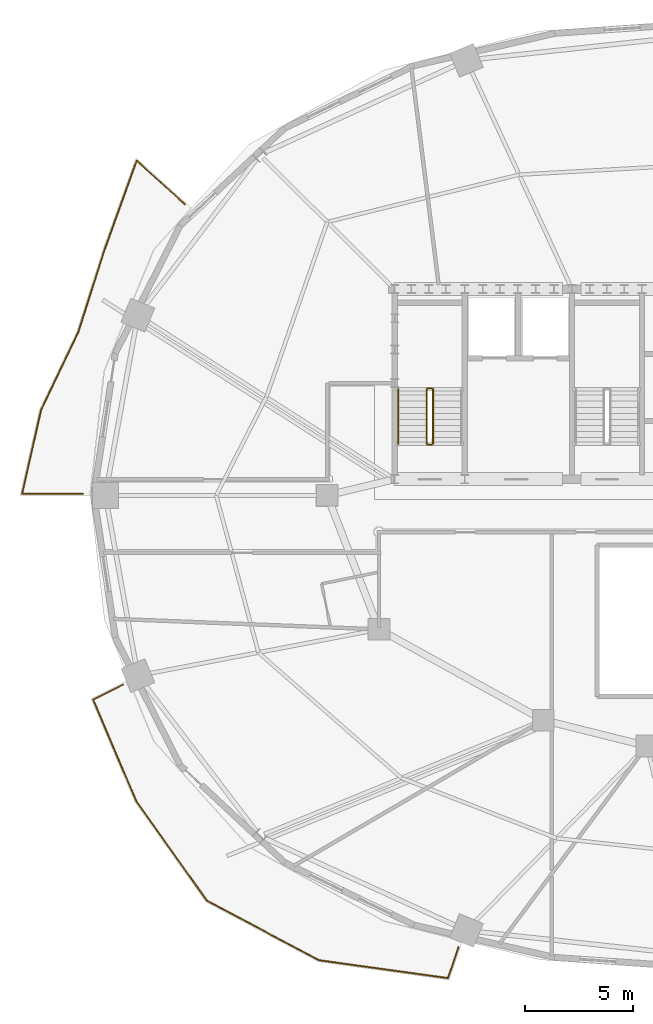
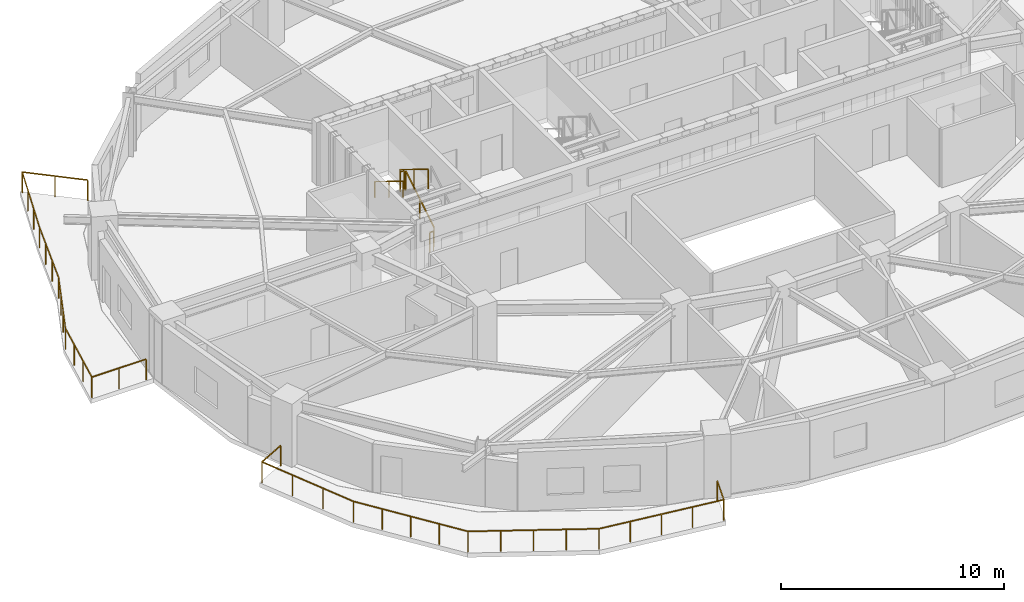
# One storey, part 7 of 11: 7 railings.
"""IFC4 building model written with IfcOpenShell, lengths in metres."""

from ifc_helpers import new_model, si_unit, direction, frame, origin, origin_2d, place, context, subcontext, project, spatial, rectangle, extrude, material, type_object, element, save


model = new_model("IFC4")

# Units and contexts
model_context = context("Model", 3, precision=1e-05, world=origin(), true_north=direction((0.0, 1.0)))
body_context = subcontext(model_context, "Body", "Model", "MODEL_VIEW")
ifc_project = project(units=[si_unit("LENGTHUNIT", "METRE"), si_unit("AREAUNIT", "SQUARE_METRE"), si_unit("VOLUMEUNIT", "CUBIC_METRE"), si_unit("PLANEANGLEUNIT", "RADIAN"), si_unit("MASSUNIT", "GRAM", prefix="KILO")], contexts=[model_context])

# Site, building, storey
site_placement = place(None, origin())
site = spatial("IfcSite", under=ifc_project, at=site_placement, CompositionType="ELEMENT")
building_placement = place(site_placement, origin())
building = spatial("IfcBuilding", under=site, at=building_placement, Name="Haldorwick Loom Tower", CompositionType="ELEMENT")
storey_placement = place(building_placement, frame((0.0, 0.0, 208.300048828125)))
storey = spatial("IfcBuildingStorey", under=building, at=storey_placement, Name="L56", CompositionType="ELEMENT", Elevation=208.300048828125)

# Railings
ifc_material_1 = material(Name="Galvanized Steel CSA G40.21 350W", Category="steel")
railing_type_1 = type_object("IfcRailingType", Name="ARC-RLG-BAL115", PredefinedType="BALUSTRADE", material=ifc_material_1)
railing_1_placement = place(storey_placement, frame((24.877685546875, 5.081298828125, 0.0)))
element("IfcRailing", 1, at=railing_1_placement, inside=storey, type_object=railing_type_1, Name="L56 Outdoor Terrace Guardrail SLB-L56-BAL_SW-1", PredefinedType="BALUSTRADE", context=body_context, shape_type="SweptSolid", body=[
    extrude(rectangle(XDim=0.048095703125, YDim=0.048095703125, at=origin_2d()), frame((0.0, 0.0, 1.1259765625), z_axis=(-0.322554876503, -0.946550765487, 0.0), x_axis=(0.946550765487, -0.322554876503, 0.0)), (0.0, 0.0, 1.0), 1.503173828125),
    extrude(rectangle(XDim=0.048095703125, YDim=0.048095703125, at=origin_2d()), frame((-0.48486328125, -1.4228515625, 1.1259765625), z_axis=(-0.990515716608, 0.137399472896, 0.0), x_axis=(-0.137399472896, -0.990515716608, 0.0)), (0.0, 0.0, 1.0), 6.027099609375),
    extrude(rectangle(XDim=0.048095703125, YDim=0.048095703125, at=origin_2d()), frame((-6.454833984375, -0.5947265625, 1.1259765625), z_axis=(-0.883034911235, 0.46930730395, 0.0), x_axis=(-0.46930730395, -0.883034911235, 0.0)), (0.0, 0.0, 1.0), 5.86865234375),
    extrude(rectangle(XDim=0.048095703125, YDim=0.048095703125, at=origin_2d()), frame((-11.636962890625, 2.159423828125, 1.1259765625), z_axis=(-0.580031308126, 0.814594182151, 0.0), x_axis=(-0.814594182151, -0.580031308126, 0.0)), (0.0, 0.0, 1.0), 5.62890625),
    extrude(rectangle(XDim=0.048095703125, YDim=0.048095703125, at=origin_2d()), frame((-14.90185546875, 6.74462890625, 1.1259765625), z_axis=(-0.391348382521, 0.92024260035, 0.0), x_axis=(-0.92024260035, -0.391348382521, 0.0)), (0.0, 0.0, 1.0), 5.126220703125),
    extrude(rectangle(XDim=0.048095703125, YDim=0.048095703125, at=origin_2d()), frame((-16.907958984375, 11.4619140625, 1.1259765625), z_axis=(0.892027220711, 0.451981678291, 0.0), x_axis=(-0.451981678291, 0.892027220711, 0.0)), (0.0, 0.0, 1.0), 1.533935546875),
    extrude(rectangle(XDim=0.0419921875, YDim=0.0419921875, at=origin_2d()), origin(), (0.0, 0.0, 1.0), 1.101806640625),
    extrude(rectangle(XDim=0.0419921875, YDim=0.0419921875, at=origin_2d()), frame((-0.48486328125, -1.4228515625, 0.0)), (0.0, 0.0, 1.0), 1.101806640625),
    extrude(rectangle(XDim=0.0419921875, YDim=0.0419921875, at=origin_2d()), frame((-1.977294921875, -1.2158203125, 0.0)), (0.0, 0.0, 1.0), 1.101806640625),
    extrude(rectangle(XDim=0.0419921875, YDim=0.0419921875, at=origin_2d()), frame((-3.4697265625, -1.0087890625, 0.0)), (0.0, 0.0, 1.0), 1.101806640625),
    extrude(rectangle(XDim=0.0419921875, YDim=0.0419921875, at=origin_2d()), frame((-4.96240234375, -0.8017578125, 0.0)), (0.0, 0.0, 1.0), 1.101806640625),
    extrude(rectangle(XDim=0.0419921875, YDim=0.0419921875, at=origin_2d()), frame((-6.454833984375, -0.5947265625, 0.0)), (0.0, 0.0, 1.0), 1.101806640625),
    extrude(rectangle(XDim=0.0419921875, YDim=0.0419921875, at=origin_2d()), frame((-7.75048828125, 0.09375, 0.0)), (0.0, 0.0, 1.0), 1.101806640625),
    extrude(rectangle(XDim=0.0419921875, YDim=0.0419921875, at=origin_2d()), frame((-9.0458984375, 0.7822265625, 0.0)), (0.0, 0.0, 1.0), 1.101806640625),
    extrude(rectangle(XDim=0.0419921875, YDim=0.0419921875, at=origin_2d()), frame((-10.34130859375, 1.470947265625, 0.0)), (0.0, 0.0, 1.0), 1.101806640625),
    extrude(rectangle(XDim=0.0419921875, YDim=0.0419921875, at=origin_2d()), frame((-11.636962890625, 2.159423828125, 0.0)), (0.0, 0.0, 1.0), 1.101806640625),
    extrude(rectangle(XDim=0.0419921875, YDim=0.0419921875, at=origin_2d()), frame((-12.453125, 3.3056640625, 0.0)), (0.0, 0.0, 1.0), 1.101806640625),
    extrude(rectangle(XDim=0.0419921875, YDim=0.0419921875, at=origin_2d()), frame((-13.26953125, 4.4521484375, 0.0)), (0.0, 0.0, 1.0), 1.101806640625),
    extrude(rectangle(XDim=0.0419921875, YDim=0.0419921875, at=origin_2d()), frame((-14.085693359375, 5.598388671875, 0.0)), (0.0, 0.0, 1.0), 1.101806640625),
    extrude(rectangle(XDim=0.0419921875, YDim=0.0419921875, at=origin_2d()), frame((-14.90185546875, 6.74462890625, 0.0)), (0.0, 0.0, 1.0), 1.101806640625),
    extrude(rectangle(XDim=0.0419921875, YDim=0.0419921875, at=origin_2d()), frame((-15.570556640625, 8.317138671875, 0.0)), (0.0, 0.0, 1.0), 1.101806640625),
    extrude(rectangle(XDim=0.0419921875, YDim=0.0419921875, at=origin_2d()), frame((-16.2392578125, 9.889404296875, 0.0)), (0.0, 0.0, 1.0), 1.101806640625),
    extrude(rectangle(XDim=0.0419921875, YDim=0.0419921875, at=origin_2d()), frame((-16.907958984375, 11.4619140625, 0.0)), (0.0, 0.0, 1.0), 1.101806640625),
    extrude(rectangle(XDim=0.0419921875, YDim=0.0419921875, at=origin_2d()), frame((-15.53955078125, 12.1552734375, 0.0)), (0.0, 0.0, 1.0), 1.101806640625),
])
railing_2_placement = place(storey_placement, frame((7.490478515625, 26.080078125, 0.0)))
element("IfcRailing", 2, at=railing_2_placement, inside=storey, type_object=railing_type_1, Name="L56 Outdoor Terrace Guardrail SLB-L56-BAL_WNW-1", PredefinedType="BALUSTRADE", context=body_context, shape_type="SweptSolid", body=[
    extrude(rectangle(XDim=0.048095703125, YDim=0.048095703125, at=origin_2d()), frame((0.0, 0.0, 1.1259765625), z_axis=(-1.0, 0.0, 0.0), x_axis=(0.0, -1.0, 0.0)), (0.0, 0.0, 1.0), 2.806884765625),
    extrude(rectangle(XDim=0.048095703125, YDim=0.048095703125, at=origin_2d()), frame((-2.806884765625, 0.0, 1.1259765625), z_axis=(0.220528818601, 0.975380459188, 0.0), x_axis=(-0.975380459188, 0.220528818601, 0.0)), (0.0, 0.0, 1.0), 3.970947265625),
    extrude(rectangle(XDim=0.048095703125, YDim=0.048095703125, at=origin_2d()), frame((-1.93115234375, 3.873291015625, 1.1259765625), z_axis=(0.431873232656, 0.901934316298, 0.0), x_axis=(-0.901934316298, 0.431873232656, 0.0)), (0.0, 0.0, 1.0), 3.97021484375),
    extrude(rectangle(XDim=0.048095703125, YDim=0.048095703125, at=origin_2d()), frame((-0.216552734375, 7.4541015625, 1.1259765625), z_axis=(0.363542485653, 0.931577619485, 0.0), x_axis=(-0.931577619485, 0.363542485653, 0.0)), (0.0, 0.0, 1.0), 0.0107421875),
    extrude(rectangle(XDim=0.048095703125, YDim=0.048095703125, at=origin_2d()), frame((-0.212646484375, 7.464111328125, 1.1259765625), z_axis=(0.304009811711, 0.952668900712, 0.0), x_axis=(-0.952668900712, 0.304009811711, 0.0)), (0.0, 0.0, 1.0), 4.037109375),
    extrude(rectangle(XDim=0.048095703125, YDim=0.048095703125, at=origin_2d()), frame((1.0146484375, 11.31005859375, 1.1259765625), z_axis=(0.339440877495, 0.940627392056, 0.0), x_axis=(-0.940627392056, 0.339440877495, 0.0)), (0.0, 0.0, 1.0), 4.361572265625),
    extrude(rectangle(XDim=0.048095703125, YDim=0.048095703125, at=origin_2d()), frame((2.4951171875, 15.41259765625, 1.1259765625), z_axis=(0.74173043734, -0.670698112658, 0.0), x_axis=(0.670698112658, 0.74173043734, 0.0)), (0.0, 0.0, 1.0), 3.00048828125),
    extrude(rectangle(XDim=0.0419921875, YDim=0.0419921875, at=origin_2d()), origin(), (0.0, 0.0, 1.0), 1.101806640625),
    extrude(rectangle(XDim=0.0419921875, YDim=0.0419921875, at=origin_2d()), frame((-1.4033203125, 0.0, 0.0)), (0.0, 0.0, 1.0), 1.101806640625),
    extrude(rectangle(XDim=0.0419921875, YDim=0.0419921875, at=origin_2d()), frame((-2.806884765625, 0.0, 0.0)), (0.0, 0.0, 1.0), 1.101806640625),
    extrude(rectangle(XDim=0.0419921875, YDim=0.0419921875, at=origin_2d()), frame((-2.514892578125, 1.291015625, 0.0)), (0.0, 0.0, 1.0), 1.101806640625),
    extrude(rectangle(XDim=0.0419921875, YDim=0.0419921875, at=origin_2d()), frame((-2.22314453125, 2.582275390625, 0.0)), (0.0, 0.0, 1.0), 1.101806640625),
    extrude(rectangle(XDim=0.0419921875, YDim=0.0419921875, at=origin_2d()), frame((-1.93115234375, 3.873291015625, 0.0)), (0.0, 0.0, 1.0), 1.101806640625),
    extrude(rectangle(XDim=0.0419921875, YDim=0.0419921875, at=origin_2d()), frame((-1.359619140625, 5.06689453125, 0.0)), (0.0, 0.0, 1.0), 1.101806640625),
    extrude(rectangle(XDim=0.0419921875, YDim=0.0419921875, at=origin_2d()), frame((-0.7880859375, 6.260498046875, 0.0)), (0.0, 0.0, 1.0), 1.101806640625),
    extrude(rectangle(XDim=0.0419921875, YDim=0.0419921875, at=origin_2d()), frame((-0.216552734375, 7.4541015625, 0.0)), (0.0, 0.0, 1.0), 1.101806640625),
    extrude(rectangle(XDim=0.0419921875, YDim=0.0419921875, at=origin_2d()), frame((0.196533203125, 8.74609375, 0.0)), (0.0, 0.0, 1.0), 1.101806640625),
    extrude(rectangle(XDim=0.0419921875, YDim=0.0419921875, at=origin_2d()), frame((0.60546875, 10.028076171875, 0.0)), (0.0, 0.0, 1.0), 1.101806640625),
    extrude(rectangle(XDim=0.0419921875, YDim=0.0419921875, at=origin_2d()), frame((1.0146484375, 11.31005859375, 0.0)), (0.0, 0.0, 1.0), 1.101806640625),
    extrude(rectangle(XDim=0.0419921875, YDim=0.0419921875, at=origin_2d()), frame((1.508056640625, 12.677490234375, 0.0)), (0.0, 0.0, 1.0), 1.101806640625),
    extrude(rectangle(XDim=0.0419921875, YDim=0.0419921875, at=origin_2d()), frame((2.001708984375, 14.045166015625, 0.0)), (0.0, 0.0, 1.0), 1.101806640625),
    extrude(rectangle(XDim=0.0419921875, YDim=0.0419921875, at=origin_2d()), frame((2.4951171875, 15.41259765625, 0.0)), (0.0, 0.0, 1.0), 1.101806640625),
    extrude(rectangle(XDim=0.0419921875, YDim=0.0419921875, at=origin_2d()), frame((3.60791015625, 14.40625, 0.0)), (0.0, 0.0, 1.0), 1.101806640625),
    extrude(rectangle(XDim=0.0419921875, YDim=0.0419921875, at=origin_2d()), frame((4.720703125, 13.400146484375, 0.0)), (0.0, 0.0, 1.0), 1.101806640625),
])
ifc_material_2 = material(Name="Steel CSA G40.21 350W", Category="steel")
railing_type_2 = type_object("IfcRailingType", Name="ARC-RLG-GUARD112", PredefinedType="GUARDRAIL", material=ifc_material_2)
railing_3_placement = place(storey_placement, frame((23.699951171875, 28.39990234375, 0.17236328125)))
element("IfcRailing", 3, at=railing_3_placement, inside=storey, type_object=railing_type_2, Name="L56 ST-01 stair guard 1", PredefinedType="GUARDRAIL", context=body_context, shape_type="SweptSolid", body=[
    extrude(rectangle(XDim=0.048095703125, YDim=0.048095703125, at=origin_2d()), frame((0.0, 0.0, 1.076171875), z_axis=(0.0, 0.851400495292, 0.524516154772), x_axis=(-1.0, 0.0, 0.0)), (0.0, 0.0, 1.0), 2.9599609375),
    extrude(rectangle(XDim=0.0419921875, YDim=0.0419921875, at=origin_2d()), origin(), (0.0, 0.0, 1.0), 1.052001953125),
    extrude(rectangle(XDim=0.0419921875, YDim=0.0419921875, at=origin_2d()), frame((0.0, 1.260009765625, 0.7763671875)), (0.0, 0.0, 1.0), 1.052001953125),
    extrude(rectangle(XDim=0.0419921875, YDim=0.0419921875, at=origin_2d()), frame((0.0, 2.52001953125, 1.552490234375)), (0.0, 0.0, 1.0), 1.052001953125),
])
railing_4_placement = place(storey_placement, frame((23.64990234375, 30.969970703125, 1.724853515625)))
element("IfcRailing", 4, at=railing_4_placement, inside=storey, type_object=railing_type_2, Name="L56 ST-01 stair guard 2", PredefinedType="GUARDRAIL", context=body_context, shape_type="SweptSolid", body=[
    extrude(rectangle(XDim=0.048095703125, YDim=0.048095703125, at=origin_2d()), frame((0.0, 0.0, 1.076171875), z_axis=(-1.0, 0.0, 0.0), x_axis=(0.0, -1.0, 0.0)), (0.0, 0.0, 1.0), 0.199951171875),
    extrude(rectangle(XDim=0.0419921875, YDim=0.0419921875, at=origin_2d()), origin(), (0.0, 0.0, 1.0), 1.052001953125),
    extrude(rectangle(XDim=0.0419921875, YDim=0.0419921875, at=origin_2d()), frame((-0.199951171875, 0.0, 0.0)), (0.0, 0.0, 1.0), 1.052001953125),
])
railing_5_placement = place(storey_placement, frame((23.39990234375, 30.919921875, 1.8974609375)))
element("IfcRailing", 5, at=railing_5_placement, inside=storey, type_object=railing_type_2, Name="L56 ST-01 stair guard 3", PredefinedType="GUARDRAIL", context=body_context, shape_type="SweptSolid", body=[
    extrude(rectangle(XDim=0.048095703125, YDim=0.048095703125, at=origin_2d()), frame((0.0, 0.0, 1.076171875), z_axis=(0.0, -0.851400495292, 0.524516154772), x_axis=(1.0, 0.0, 0.0)), (0.0, 0.0, 1.0), 2.9599609375),
    extrude(rectangle(XDim=0.0419921875, YDim=0.0419921875, at=origin_2d()), origin(), (0.0, 0.0, 1.0), 1.052001953125),
    extrude(rectangle(XDim=0.0419921875, YDim=0.0419921875, at=origin_2d()), frame((0.0, -1.260009765625, 0.7763671875)), (0.0, 0.0, 1.0), 1.052001953125),
    extrude(rectangle(XDim=0.0419921875, YDim=0.0419921875, at=origin_2d()), frame((0.0, -2.52001953125, 1.552490234375)), (0.0, 0.0, 1.0), 1.052001953125),
])
railing_6_placement = place(storey_placement, frame((23.64990234375, 28.35009765625, 0.0)))
element("IfcRailing", 6, at=railing_6_placement, inside=storey, type_object=railing_type_2, Name="L56 ST-01 stair guard 4", PredefinedType="GUARDRAIL", context=body_context, shape_type="SweptSolid", body=[
    extrude(rectangle(XDim=0.048095703125, YDim=0.048095703125, at=origin_2d()), frame((0.0, 0.0, 1.076171875), z_axis=(-1.0, 0.0, 0.0), x_axis=(0.0, -1.0, 0.0)), (0.0, 0.0, 1.0), 0.199951171875),
    extrude(rectangle(XDim=0.0419921875, YDim=0.0419921875, at=origin_2d()), origin(), (0.0, 0.0, 1.0), 1.052001953125),
    extrude(rectangle(XDim=0.0419921875, YDim=0.0419921875, at=origin_2d()), frame((-0.199951171875, 0.0, 0.0)), (0.0, 0.0, 1.0), 1.052001953125),
])
railing_type_3 = type_object("IfcRailingType", Name="ARC-RLG-HAND092", PredefinedType="HANDRAIL", material=ifc_material_2)
railing_7_placement = place(storey_placement, frame((22.10009765625, 30.919921875, 1.8974609375)))
element("IfcRailing", 7, at=railing_7_placement, inside=storey, type_object=railing_type_3, Name="L56 ST-01 stair handrail 2", PredefinedType="HANDRAIL", context=body_context, shape_type="SweptSolid", body=[
    extrude(rectangle(XDim=0.048095703125, YDim=0.048095703125, at=origin_2d()), frame((0.0, 0.0, 0.8759765625), z_axis=(0.0, -0.851400495292, 0.524516154772), x_axis=(1.0, 0.0, 0.0)), (0.0, 0.0, 1.0), 2.9599609375),
    extrude(rectangle(XDim=0.0419921875, YDim=0.0419921875, at=origin_2d()), origin(), (0.0, 0.0, 1.0), 0.851806640625),
    extrude(rectangle(XDim=0.0419921875, YDim=0.0419921875, at=origin_2d()), frame((0.0, -1.260009765625, 0.7763671875)), (0.0, 0.0, 1.0), 0.851806640625),
    extrude(rectangle(XDim=0.0419921875, YDim=0.0419921875, at=origin_2d()), frame((0.0, -2.52001953125, 1.552490234375)), (0.0, 0.0, 1.0), 0.851806640625),
])

save(model, "model.ifc")
